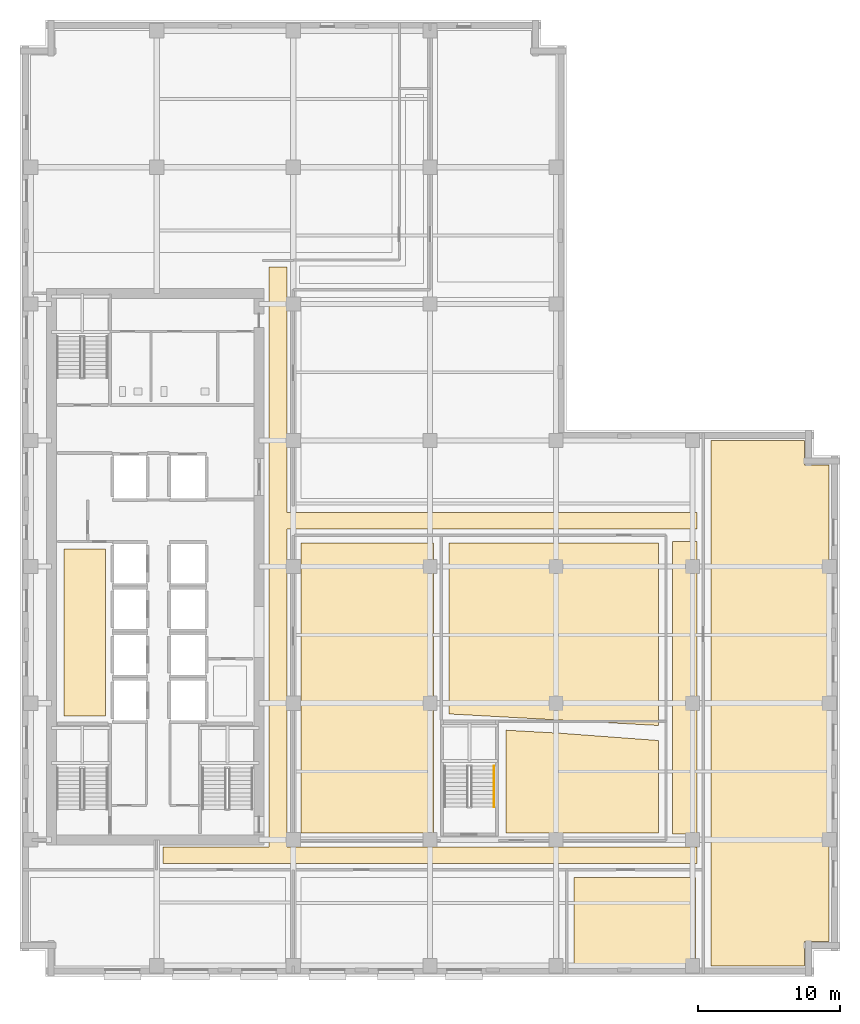
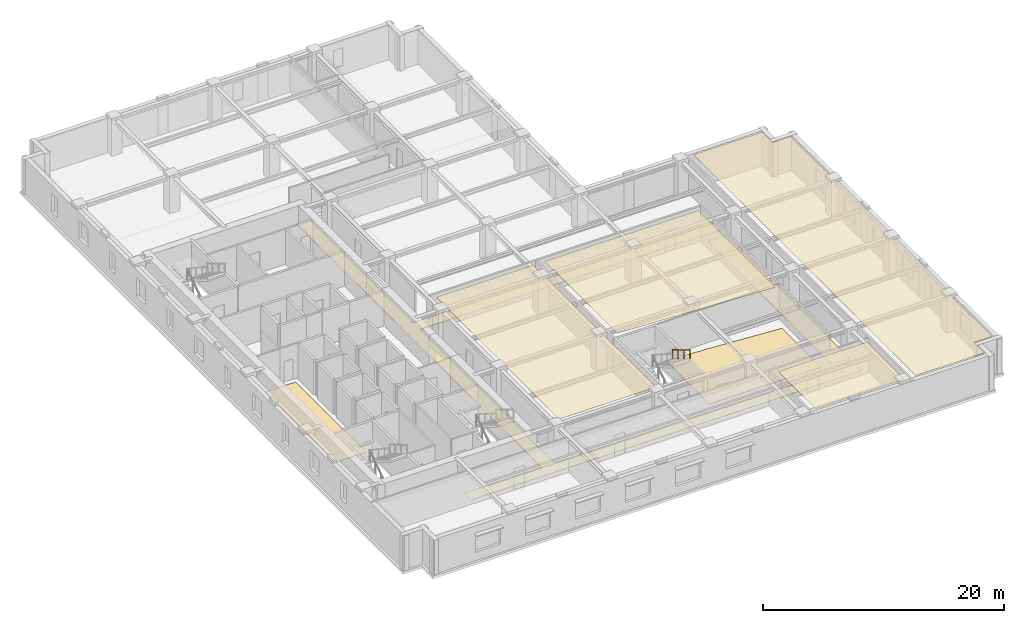
# One storey, part 9 of 12: 8 coverings, 1 railing.
"""IFC4 building model written with IfcOpenShell, lengths in metres."""

from ifc_helpers import new_model, si_unit, direction, frame, origin, origin_2d, place, context, subcontext, project, spatial, polyline, circle, outline, extrude, material, layer, layer_set, type_object, element, save


model = new_model("IFC4")

# Units and contexts
model_context = context("Model", 3, precision=1e-05, world=origin(), true_north=direction((0.0, 1.0)))
body_context = subcontext(model_context, "Body", "Model", "MODEL_VIEW")
ifc_project = project(units=[si_unit("LENGTHUNIT", "METRE"), si_unit("AREAUNIT", "SQUARE_METRE"), si_unit("VOLUMEUNIT", "CUBIC_METRE"), si_unit("PLANEANGLEUNIT", "RADIAN"), si_unit("MASSUNIT", "GRAM", prefix="KILO")], contexts=[model_context])

# Site, building, storey
site_placement = place(None, origin())
site = spatial("IfcSite", under=ifc_project, at=site_placement, CompositionType="ELEMENT")
building_placement = place(site_placement, origin())
building = spatial("IfcBuilding", under=site, at=building_placement, Name="Norrvale University Quadrangle", CompositionType="ELEMENT")
storey_placement = place(building_placement, frame((0.0, 0.0, 105.199951171875)))
storey = spatial("IfcBuildingStorey", under=building, at=storey_placement, Name="L26", CompositionType="ELEMENT", Elevation=105.199951171875)

# Coverings
ifc_material_1 = material(Name="Perforated Acoustic Mineral Ceiling")
ifc_layer_1 = layer(ifc_material_1, 0.02490234375, Name="Perforated Acoustic Mineral Ceiling")
ifc_layer_set_1 = layer_set([ifc_layer_1], Name="Perforated Acoustic Mineral Ceiling")
covering_type_1 = type_object("IfcCoveringType", Name="Covering Acoustic Ceiling 25", PredefinedType="CEILING", material=ifc_layer_set_1)
covering_1_placement = place(storey_placement, frame((0.0, 0.0, 3.51513671875)))
element("IfcCovering", 1, at=covering_1_placement, inside=storey, type_object=covering_type_1, Name="Acoustic Ceiling RM-L26-S03", PredefinedType="CEILING", context=body_context, shape_type="SweptSolid", body=[
    extrude(outline(polyline([(38.929931640625, 6.969970703125), (47.469970703125, 6.969970703125), (47.469970703125, 0.75), (38.929931640625, 0.75), (38.929931640625, 6.969970703125)])), origin(), (0.0, 0.0, 1.0), 0.02490234375),
])
covering_2_placement = place(storey_placement, frame((0.0, 0.0, 3.51513671875)))
element("IfcCovering", 2, at=covering_2_placement, inside=storey, type_object=covering_type_1, Name="Acoustic Ceiling RM-L26-E01", PredefinedType="CEILING", context=body_context, shape_type="SweptSolid", body=[
    extrude(outline(polyline([(48.530029296875, 0.75), (48.530029296875, 37.64990234375), (55.1298828125, 37.64990234375), (55.1298828125, 35.929931640625), (56.85009765625, 35.929931640625), (56.85009765625, 2.469970703125), (55.1298828125, 2.469970703125), (55.1298828125, 0.75), (48.530029296875, 0.75)])), origin(), (0.0, 0.0, 1.0), 0.02490234375),
])
covering_3_placement = place(storey_placement, frame((0.0, 0.0, 3.51513671875)))
element("IfcCovering", 3, at=covering_3_placement, inside=storey, type_object=covering_type_1, Name="Acoustic Ceiling RM-L26-IW1", PredefinedType="CEILING", context=body_context, shape_type="SweptSolid", body=[
    extrude(outline(polyline([(19.72998046875, 10.080078125), (19.72998046875, 30.469970703125), (29.050048828125, 30.469970703125), (29.050048828125, 10.080078125), (19.72998046875, 10.080078125)])), origin(), (0.0, 0.0, 1.0), 0.02490234375),
])
covering_4_placement = place(storey_placement, frame((0.0, 0.0, 3.51513671875)))
element("IfcCovering", 4, at=covering_4_placement, inside=storey, type_object=covering_type_1, Name="Acoustic Ceiling RM-L26-ILH", PredefinedType="CEILING", context=body_context, shape_type="SweptSolid", body=[
    extrude(outline(polyline([(30.1298828125, 18.446044921875), (30.1298828125, 30.469970703125), (44.844970703125, 30.469970703125), (44.844970703125, 17.635009765625), (30.1298828125, 18.446044921875)])), origin(), (0.0, 0.0, 1.0), 0.02490234375),
])
ifc_material_2 = material(Name="Polished Terrazzo Flooring")
ifc_layer_2 = layer(ifc_material_2, 0.02490234375, Name="Polished Terrazzo Flooring")
ifc_layer_set_2 = layer_set([ifc_layer_2], Name="Polished Terrazzo Flooring")
covering_type_2 = type_object("IfcCoveringType", Name="Covering Terrazzo Floor 30", PredefinedType="FLOORING", material=ifc_layer_set_2)
covering_5_placement = place(storey_placement, origin())
element("IfcCovering", 5, at=covering_5_placement, inside=storey, type_object=covering_type_2, Name="Terrazzo Flooring RM-L26-WSTOR", PredefinedType="FLOORING", context=body_context, shape_type="SweptSolid", body=[
    extrude(outline(polyline([(3.10009765625, 18.300048828125), (3.10009765625, 30.030029296875), (6.0, 30.030029296875), (6.0, 18.300048828125), (3.10009765625, 18.300048828125)])), origin(), (0.0, 0.0, 1.0), 0.025146484375),
])
covering_6_placement = place(storey_placement, origin())
element("IfcCovering", 6, at=covering_6_placement, inside=storey, type_object=covering_type_2, Name="Terrazzo Flooring RM-L26-CORR1", PredefinedType="FLOORING", context=body_context, shape_type="SweptSolid", body=[
    extrude(outline(polyline([(10.050048828125, 7.949951171875), (10.050048828125, 9.10009765625), (17.5, 9.10009765625), (17.5, 49.85009765625), (18.75, 49.85009765625), (18.75, 32.60009765625), (47.550048828125, 32.60009765625), (47.550048828125, 31.449951171875), (18.75, 31.449951171875), (18.75, 9.10009765625), (47.550048828125, 9.10009765625), (47.550048828125, 7.949951171875), (10.050048828125, 7.949951171875)])), origin(), (0.0, 0.0, 1.0), 0.025146484375),
])
covering_7_placement = place(storey_placement, origin())
element("IfcCovering", 7, at=covering_7_placement, inside=storey, type_object=covering_type_2, Name="Terrazzo Flooring RM-L26-CORR2", PredefinedType="FLOORING", context=body_context, shape_type="SweptSolid", body=[
    extrude(outline(polyline([(45.824951171875, 10.0), (45.824951171875, 30.550048828125), (47.550048828125, 30.550048828125), (47.550048828125, 10.0), (45.824951171875, 10.0)])), origin(), (0.0, 0.0, 1.0), 0.025146484375),
])
covering_8_placement = place(storey_placement, origin())
element("IfcCovering", 8, at=covering_8_placement, inside=storey, type_object=covering_type_2, Name="Terrazzo Flooring RM-L26-ISE", PredefinedType="FLOORING", context=body_context, shape_type="SweptSolid", body=[
    extrude(outline(polyline([(44.844970703125, 16.58203125), (44.844970703125, 10.080078125), (34.14990234375, 10.080078125), (34.14990234375, 17.303955078125), (37.93603515625, 17.094970703125), (44.844970703125, 16.58203125)])), origin(), (0.0, 0.0, 1.0), 0.025146484375),
])

# Railing
ifc_material_3 = material(Name="Stainless Steel 316L Handrail", Category="steel")
railing_type = type_object("IfcRailingType", Name="Railing Stair Handrail 920", PredefinedType="HANDRAIL", material=ifc_material_3)
railing_placement = place(storey_placement, frame((33.31005859375, 14.800048828125, 2.07275390625)))
element("IfcRailing", 9, at=railing_placement, inside=storey, type_object=railing_type, Name="Stair Upper Flight Handrail ST-04 L26", PredefinedType="HANDRAIL", context=body_context, shape_type="SweptSolid", body=[
    extrude(circle(Radius=0.02392578125, at=origin_2d()), frame((0.0, 0.0, 0.89599609375), z_axis=(0.0, -0.859160404282, 0.51170636083), x_axis=(1.0, 0.0, 0.0)), (0.0, 0.0, 1.0), 3.37548828125),
    extrude(circle(Radius=0.02099609375, at=origin_2d()), origin(), (0.0, 0.0, 1.0), 0.871826171875),
    extrude(circle(Radius=0.02099609375, at=origin_2d()), frame((0.0, -0.966796875, 0.57568359375)), (0.0, 0.0, 1.0), 0.871826171875),
    extrude(circle(Radius=0.02099609375, at=origin_2d()), frame((0.0, -1.933349609375, 1.151611328125)), (0.0, 0.0, 1.0), 0.871826171875),
    extrude(circle(Radius=0.02099609375, at=origin_2d()), frame((0.0, -2.900146484375, 1.727294921875)), (0.0, 0.0, 1.0), 0.871826171875),
])

save(model, "model.ifc")
